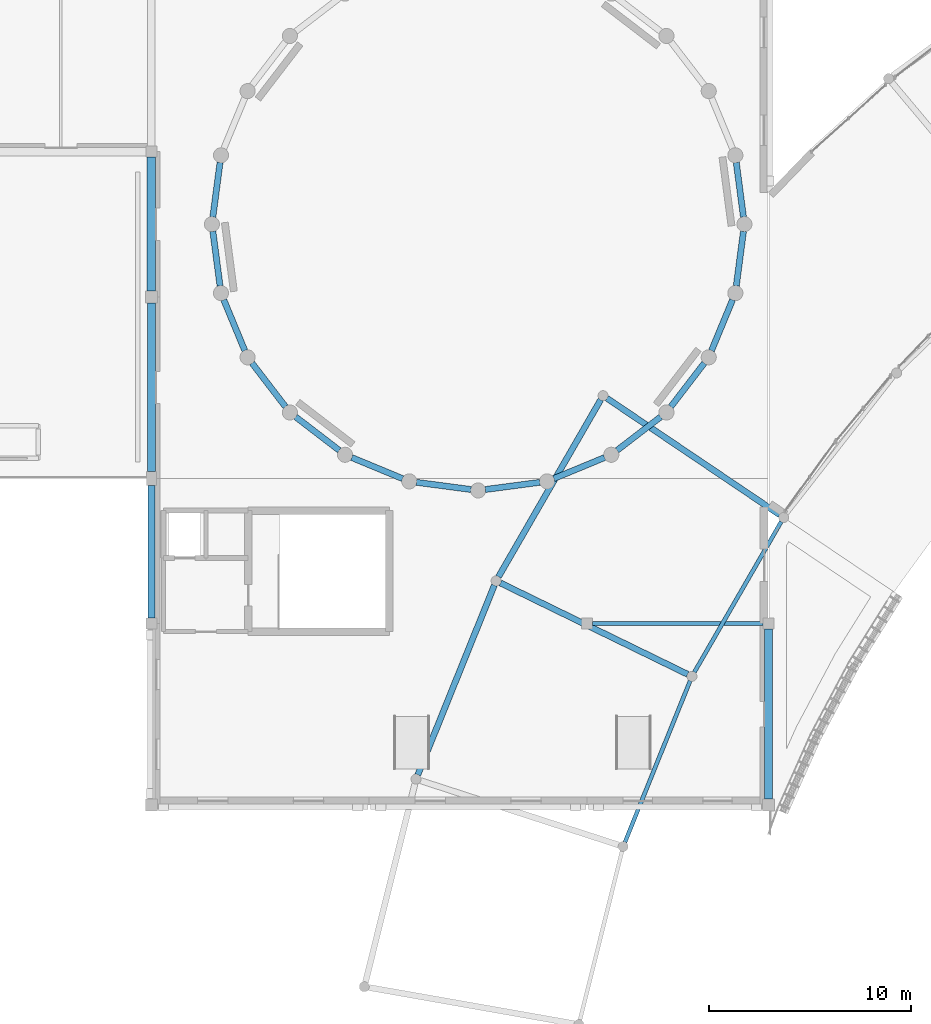
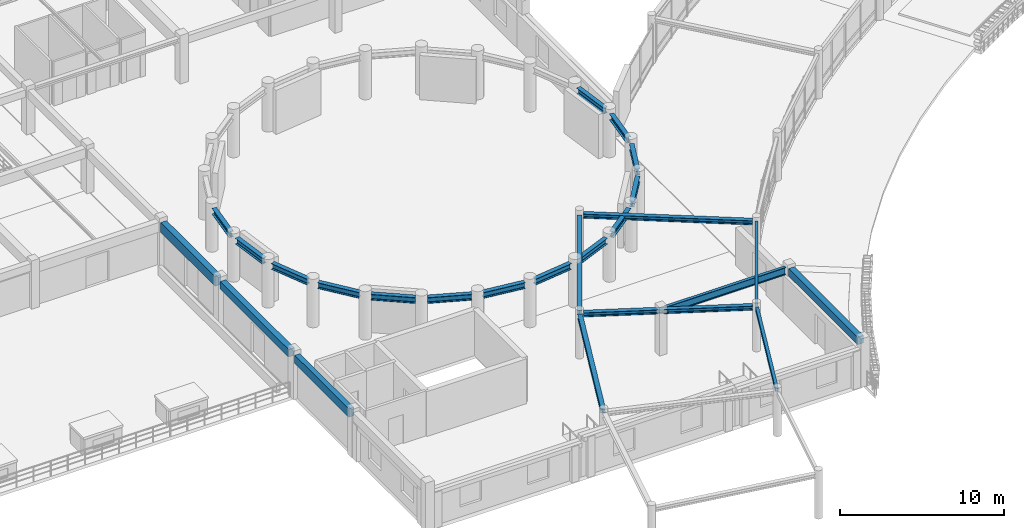
# One storey, part 15 of 74: 25 beams.
"""IFC4 building model written with IfcOpenShell, lengths in metres."""

from ifc_helpers import new_model, si_unit, direction, frame, origin, origin_2d, place, context, subcontext, project, spatial, rectangle, hollow_rectangle, i_section, extrude, material, material_profile, profile_set, type_object, element, save


model = new_model("IFC4")

# Units and contexts
model_context = context("Model", 3, precision=1e-05, world=origin(), true_north=direction((0.0, 1.0)))
body_context = subcontext(model_context, "Body", "Model", "MODEL_VIEW")
ifc_project = project(units=[si_unit("LENGTHUNIT", "METRE"), si_unit("AREAUNIT", "SQUARE_METRE"), si_unit("VOLUMEUNIT", "CUBIC_METRE"), si_unit("PLANEANGLEUNIT", "RADIAN"), si_unit("MASSUNIT", "GRAM", prefix="KILO")], contexts=[model_context])

# Site, building, storey
site_placement = place(None, origin())
site = spatial("IfcSite", under=ifc_project, at=site_placement, CompositionType="ELEMENT")
building_placement = place(site_placement, origin())
building = spatial("IfcBuilding", under=site, at=building_placement, Name="Clarverna Civic Hall", CompositionType="ELEMENT")
storey_placement = place(building_placement, frame((0.0, 0.0, 9.60009765625)))
storey = spatial("IfcBuildingStorey", under=building, at=storey_placement, Name="L02", CompositionType="ELEMENT", Elevation=9.60009765625)

# Beams
ifc_material_1 = material(Name="Concrete C35/45", Category="concrete")
ifc_material_profile_1 = material_profile(ifc_material_1, rectangle(XDim=0.419921875, YDim=0.719970703125, at=origin_2d()), Name="RC 420x720")
ifc_profile_set_1 = profile_set([ifc_material_profile_1], Name="Concrete C35/45")
beam_type_1 = type_object("IfcBeamType", Name="B-SP1", PredefinedType="SPANDREL", material=ifc_profile_set_1)
beam_1_placement = place(storey_placement, frame((66.60009765625, 55.699951171875, 2.919921875), z_axis=(0.0, 1.0, 0.0), x_axis=(-1.0, 0.0, 0.0)))
element("IfcBeam", 1, at=beam_1_placement, inside=storey, type_object=beam_type_1, Name="B-SP1-100", PredefinedType="SPANDREL", context=body_context, shape_type="SweptSolid", body=[
    extrude(rectangle(XDim=0.419921875, YDim=0.719970703125, at=origin_2d()), origin(), (0.0, 0.0, 1.0), 6.625),
])
ifc_material_profile_2 = material_profile(ifc_material_1, rectangle(XDim=0.360107421875, YDim=0.6201171875, at=origin_2d()), Name="RC 360x620")
ifc_profile_set_2 = profile_set([ifc_material_profile_2], Name="Concrete C35/45")
beam_type_2 = type_object("IfcBeamType", Name="B-SP3", PredefinedType="SPANDREL", material=ifc_profile_set_2)
beam_2_placement = place(storey_placement, frame((66.60009765625, 39.47509765625, 2.969970703125), z_axis=(0.0, 1.0, 0.0), x_axis=(-1.0, 0.0, 0.0)))
element("IfcBeam", 2, at=beam_2_placement, inside=storey, type_object=beam_type_2, Name="B-SP3-101", PredefinedType="SPANDREL", context=body_context, shape_type="SweptSolid", body=[
    extrude(rectangle(XDim=0.360107421875, YDim=0.6201171875, at=origin_2d()), origin(), (0.0, 0.0, 1.0), 6.574951171875),
])
ifc_material_profile_3 = material_profile(ifc_material_1, rectangle(XDim=0.39990234375, YDim=0.56005859375, at=origin_2d()), Name="RC 400x560")
ifc_profile_set_3 = profile_set([ifc_material_profile_3], Name="Concrete C35/45")
beam_type_3 = type_object("IfcBeamType", Name="B-SP4", PredefinedType="SPANDREL", material=ifc_profile_set_3)
beam_3_placement = place(storey_placement, frame((66.60009765625, 46.75, 3.0), z_axis=(0.0, 1.0, 0.0), x_axis=(-1.0, 0.0, 0.0)))
element("IfcBeam", 3, at=beam_3_placement, inside=storey, type_object=beam_type_3, Name="B-SP4-100", PredefinedType="SPANDREL", context=body_context, shape_type="SweptSolid", body=[
    extrude(rectangle(XDim=0.39990234375, YDim=0.56005859375, at=origin_2d()), origin(), (0.0, 0.0, 1.0), 8.35009765625),
])
beam_4_placement = place(storey_placement, frame((97.199951171875, 30.5, 3.059814453125), z_axis=(0.0, 1.0, 0.0), x_axis=(-1.0, 0.0, 0.0)))
element("IfcBeam", 4, at=beam_4_placement, inside=storey, type_object=beam_type_3, Name="B-SP4-103", PredefinedType="SPANDREL", context=body_context, shape_type="SweptSolid", body=[
    extrude(rectangle(XDim=0.39990234375, YDim=0.56005859375, at=origin_2d()), origin(), (0.0, 0.0, 1.0), 8.425048828125),
])
ifc_material_2 = material(Name="Steel S355", Category="steel")
ifc_material_profile_4 = material_profile(ifc_material_2, i_section(OverallWidth=0.2099609375, OverallDepth=0.550048828125, WebThickness=0.010986328125, FlangeThickness=0.01708984375, FilletRadius=0.02392578125, at=origin_2d()), Name="IPE 550")
ifc_profile_set_4 = profile_set([ifc_material_profile_4], Name="Steel S355")
beam_type_4 = type_object("IfcBeamType", Name="B-ST11", PredefinedType="BEAM", material=ifc_profile_set_4)
beam_5_placement = place(storey_placement, frame((88.47509765625, 39.199951171875, 3.06494140625), z_axis=(1.0, 0.0, 0.0), x_axis=(0.0, 1.0, 0.0)))
element("IfcBeam", 5, at=beam_5_placement, inside=storey, type_object=beam_type_4, Name="B-ST11-009", PredefinedType="BEAM", context=body_context, shape_type="SweptSolid", body=[
    extrude(i_section(OverallWidth=0.2099609375, OverallDepth=0.550048828125, WebThickness=0.010986328125, FlangeThickness=0.01708984375, FilletRadius=0.02392578125, at=origin_2d()), origin(), (0.0, 0.0, 1.0), 8.449951171875),
])
ifc_material_profile_5 = material_profile(ifc_material_2, hollow_rectangle(XDim=0.199951171875, YDim=0.300048828125, WallThickness=0.010009765625, at=origin_2d()), Name="RHS 300x200x10.0")
ifc_profile_set_5 = profile_set([ifc_material_profile_5], Name="Steel S355")
beam_type_5 = type_object("IfcBeamType", Name="B-ST15", PredefinedType="SPANDREL", material=ifc_profile_set_5)
beam_6_placement = place(storey_placement, frame((97.829345703125, 44.255859375, 3.18994140625), z_axis=(-0.50001399067, -0.866017326117, 0.0), x_axis=(0.866017326117, -0.50001399067, 0.0)))
element("IfcBeam", 6, at=beam_6_placement, inside=storey, type_object=beam_type_5, Name="B-ST15-025", PredefinedType="SPANDREL", context=body_context, shape_type="SweptSolid", body=[
    extrude(hollow_rectangle(XDim=0.199951171875, YDim=0.300048828125, WallThickness=0.010009765625, at=origin_2d()), origin(), (0.0, 0.0, 1.0), 8.626220703125),
])
beam_7_placement = place(storey_placement, frame((93.310546875, 36.364013671875, 3.18994140625), z_axis=(-0.374599216928, -0.927186834827, 0.0), x_axis=(0.927186834827, -0.374599216928, 0.0)))
element("IfcBeam", 7, at=beam_7_placement, inside=storey, type_object=beam_type_5, Name="B-ST15-026", PredefinedType="SPANDREL", context=body_context, shape_type="SweptSolid", body=[
    extrude(hollow_rectangle(XDim=0.199951171875, YDim=0.300048828125, WallThickness=0.010009765625, at=origin_2d()), origin(), (0.0, 0.0, 1.0), 8.62646484375),
])
ifc_material_profile_6 = material_profile(ifc_material_2, i_section(OverallWidth=0.300048828125, OverallDepth=0.43994140625, WebThickness=0.011474609375, FlangeThickness=0.02099609375, FilletRadius=0.027099609375, at=origin_2d()), Name="HEA 450")
ifc_profile_set_6 = profile_set([ifc_material_profile_6], Name="Steel S355")
beam_type_6 = type_object("IfcBeamType", Name="B-ST5", PredefinedType="BEAM", material=ifc_profile_set_6)
for number, where, z_axis, x_axis, name in (
    (8, (95.952880859375, 59.35693359375, 3.059814453125), (-0.130491580956, 0.991449417419, 0.0), (-0.991449417419, -0.130491580956, 0.0), "B-ST5-084"),
    (9, (70.002685546875, 62.0595703125, 3.059814453125), (-0.130491580956, -0.991449417419, 0.0), (0.991449417419, -0.130491580956, 0.0), "B-ST5-095"),
    (10, (69.64697265625, 58.64306640625, 3.059814453125), (0.130491580956, -0.991449417419, 0.0), (0.991449417419, 0.130491580956, 0.0), "B-ST5-096"),
    (11, (70.1875, 55.2509765625, 3.059814453125), (0.38271302584, -0.923867273938, 0.0), (0.923867273938, 0.38271302584, 0.0), "B-ST5-097"),
    (12, (71.587646484375, 52.114501953125, 3.059814453125), (0.608762417801, -0.793352581563, 0.0), (0.793352581563, 0.608762417801, 0.0), "B-ST5-098"),
    (13, (73.751708984375, 49.447021484375, 3.059814453125), (0.793352581563, -0.608762417801, 0.0), (0.608762417801, 0.793352581563, 0.0), "B-ST5-099"),
    (14, (76.53271484375, 47.4306640625, 3.059814453125), (0.923898940045, -0.382636575073, 0.0), (0.382636575073, 0.923898940045, 0.0), "B-ST5-100"),
):
    element("IfcBeam", number, at=place(storey_placement, frame(where, z_axis=z_axis, x_axis=x_axis)), inside=storey, type_object=beam_type_6, Name=name, PredefinedType="BEAM", context=body_context, shape_type="SweptSolid", body=[
        extrude(i_section(OverallWidth=0.300048828125, OverallDepth=0.43994140625, WebThickness=0.011474609375, FlangeThickness=0.02099609375, FilletRadius=0.027099609375, at=origin_2d()), origin(), (0.0, 0.0, 1.0), 2.725830078125),
    ])
for number, where, z_axis, x_axis, name in (
    (15, (79.740478515625, 46.202880859375, 3.059814453125), (0.991437826512, -0.130579616175, 0.0), (0.130579616175, 0.991437826512, 0.0), "B-ST5-101"),
    (16, (83.156982421875, 45.846923828125, 3.059814453125), (0.991437826512, 0.130579616175, 0.0), (-0.130579616175, 0.991437826512, 0.0), "B-ST5-102"),
):
    element("IfcBeam", number, at=place(storey_placement, frame(where, z_axis=z_axis, x_axis=x_axis)), inside=storey, type_object=beam_type_6, Name=name, PredefinedType="BEAM", context=body_context, shape_type="SweptSolid", body=[
        extrude(i_section(OverallWidth=0.300048828125, OverallDepth=0.43994140625, WebThickness=0.011474609375, FlangeThickness=0.02099609375, FilletRadius=0.027099609375, at=origin_2d()), origin(), (0.0, 0.0, 1.0), 2.72607421875),
    ])
for number, where, z_axis, x_axis, name in (
    (17, (86.549072265625, 46.3876953125, 3.059814453125), (0.923898940045, 0.382636575073, 0.0), (-0.382636575073, 0.923898940045, 0.0), "B-ST5-103"),
    (18, (89.685546875, 47.78759765625, 3.059814453125), (0.793352581563, 0.608762417801, 0.0), (-0.608762417801, 0.793352581563, 0.0), "B-ST5-104"),
    (19, (92.35302734375, 49.951904296875, 3.059814453125), (0.608706041243, 0.793395837747, 0.0), (-0.793395837747, 0.608706041243, 0.0), "B-ST5-105"),
    (20, (94.369384765625, 52.732666015625, 3.059814453125), (0.382636575073, 0.923898940045, 0.0), (-0.923898940045, 0.382636575073, 0.0), "B-ST5-106"),
    (21, (95.59716796875, 55.9404296875, 3.059814453125), (0.130491580956, 0.991449417419, 0.0), (-0.991449417419, 0.130491580956, 0.0), "B-ST5-107"),
):
    element("IfcBeam", number, at=place(storey_placement, frame(where, z_axis=z_axis, x_axis=x_axis)), inside=storey, type_object=beam_type_6, Name=name, PredefinedType="BEAM", context=body_context, shape_type="SweptSolid", body=[
        extrude(i_section(OverallWidth=0.300048828125, OverallDepth=0.43994140625, WebThickness=0.011474609375, FlangeThickness=0.02099609375, FilletRadius=0.027099609375, at=origin_2d()), origin(), (0.0, 0.0, 1.0), 2.725830078125),
    ])
ifc_material_profile_7 = material_profile(ifc_material_2, i_section(OverallWidth=0.300048828125, OverallDepth=0.330078125, WebThickness=0.009521484375, FlangeThickness=0.0166015625, FilletRadius=0.027099609375, at=origin_2d()), Name="HEA 340")
ifc_profile_set_7 = profile_set([ifc_material_profile_7], Name="Steel S355")
beam_type_7 = type_object("IfcBeamType", Name="B-ST8", PredefinedType="BEAM", material=ifc_profile_set_7)
beam_8_placement = place(storey_placement, frame((88.87548828125, 50.295166015625, 3.114990234375), z_axis=(-0.499994975061, -0.866028304915, 0.0), x_axis=(0.866028304915, -0.499994975061, 0.0)))
element("IfcBeam", 22, at=beam_8_placement, inside=storey, type_object=beam_type_7, Name="B-ST8-082", PredefinedType="BEAM", context=body_context, shape_type="SweptSolid", body=[
    extrude(i_section(OverallWidth=0.300048828125, OverallDepth=0.330078125, WebThickness=0.009521484375, FlangeThickness=0.0166015625, FilletRadius=0.027099609375, at=origin_2d()), origin(), (0.0, 0.0, 1.0), 10.1328125),
])
beam_9_placement = place(storey_placement, frame((83.603759765625, 41.098388671875, 3.1748046875), z_axis=(-0.374624379935, -0.927176668148, 0.0), x_axis=(0.927176668148, -0.374624379935, 0.0)))
element("IfcBeam", 23, at=beam_9_placement, inside=storey, type_object=beam_type_7, Name="B-ST8-083", PredefinedType="BEAM", context=body_context, shape_type="SweptSolid", body=[
    extrude(i_section(OverallWidth=0.300048828125, OverallDepth=0.330078125, WebThickness=0.009521484375, FlangeThickness=0.0166015625, FilletRadius=0.027099609375, at=origin_2d()), origin(), (0.0, 0.0, 1.0), 10.13330078125),
])
ifc_material_profile_8 = material_profile(ifc_material_2, i_section(OverallWidth=0.300048828125, OverallDepth=0.31005859375, WebThickness=0.009033203125, FlangeThickness=0.015380859375, FilletRadius=0.027099609375, at=origin_2d()), Name="HEA 320")
ifc_profile_set_8 = profile_set([ifc_material_profile_8], Name="Steel S355")
beam_type_8 = type_object("IfcBeamType", Name="B-ST9", PredefinedType="BEAM", material=ifc_profile_set_8)
beam_10_placement = place(storey_placement, frame((97.751953125, 44.5908203125, 3.125), z_axis=(-0.829042062055, 0.559186247455, 0.0), x_axis=(-0.559186247455, -0.829042062055, 0.0)))
element("IfcBeam", 24, at=beam_10_placement, inside=storey, type_object=beam_type_8, Name="B-ST9-082", PredefinedType="BEAM", context=body_context, shape_type="SweptSolid", body=[
    extrude(i_section(OverallWidth=0.300048828125, OverallDepth=0.31005859375, WebThickness=0.009033203125, FlangeThickness=0.015380859375, FilletRadius=0.027099609375, at=origin_2d()), origin(), (0.0, 0.0, 1.0), 10.329833984375),
])
beam_11_placement = place(storey_placement, frame((93.1875, 36.684814453125, 3.184814453125), z_axis=(-0.898798426041, 0.438362166874, 0.0), x_axis=(-0.438362166874, -0.898798426041, 0.0)))
element("IfcBeam", 25, at=beam_11_placement, inside=storey, type_object=beam_type_8, Name="B-ST9-083", PredefinedType="BEAM", context=body_context, shape_type="SweptSolid", body=[
    extrude(i_section(OverallWidth=0.300048828125, OverallDepth=0.31005859375, WebThickness=0.009033203125, FlangeThickness=0.015380859375, FilletRadius=0.027099609375, at=origin_2d()), origin(), (0.0, 0.0, 1.0), 10.330078125),
])

save(model, "model.ifc")
